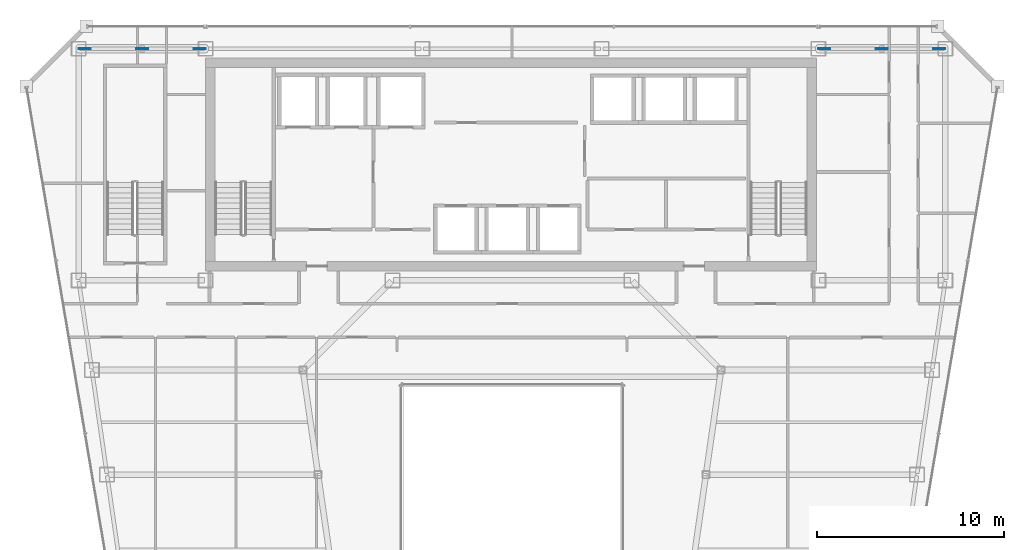
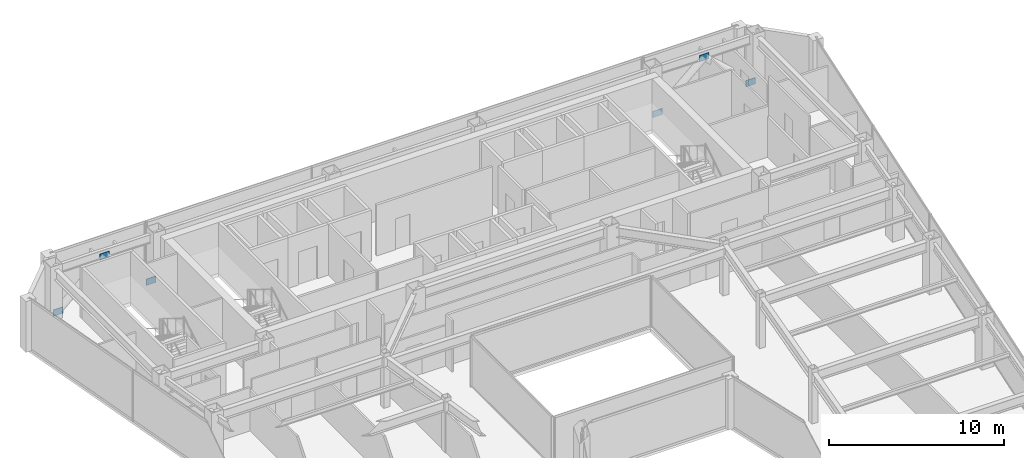
# One storey, part 29 of 35: 6 plates.
"""IFC4 building model written with IfcOpenShell, lengths in metres."""

from ifc_helpers import new_model, si_unit, direction, frame, origin, origin_2d, place, context, subcontext, project, spatial, rectangle, extrude, material, layer, layer_set, type_object, element, save


model = new_model("IFC4")

# Units and contexts
model_context = context("Model", 3, precision=1e-05, world=origin(), true_north=direction((0.0, 1.0)))
body_context = subcontext(model_context, "Body", "Model", "MODEL_VIEW")
ifc_project = project(units=[si_unit("LENGTHUNIT", "METRE"), si_unit("AREAUNIT", "SQUARE_METRE"), si_unit("VOLUMEUNIT", "CUBIC_METRE"), si_unit("PLANEANGLEUNIT", "RADIAN"), si_unit("MASSUNIT", "GRAM", prefix="KILO")], contexts=[model_context])

# Site, building, storey
site_placement = place(None, origin())
site = spatial("IfcSite", under=ifc_project, at=site_placement, CompositionType="ELEMENT")
building_placement = place(site_placement, origin())
building = spatial("IfcBuilding", under=site, at=building_placement, Name="Saevonmaru Cultural Tower", CompositionType="ELEMENT")
storey_placement = place(building_placement, frame((0.0, 0.0, 190.39990234375)))
storey = spatial("IfcBuildingStorey", under=building, at=storey_placement, Name="L43", CompositionType="ELEMENT", Elevation=190.39990234375)

# Plates
ifc_material = material(Name="Steel HSA600 (600 MPa)", Category="steel")
ifc_layer = layer(ifc_material, 0.0400390625, Name="Steel HSA600 (600 MPa)")
ifc_layer_set = layer_set([ifc_layer], Name="Steel HSA600 (600 MPa)")
plate_type = type_object("IfcPlateType", Name="PL-GUSSET-EXT", PredefinedType="USERDEFINED", material=ifc_layer_set)
for number, where, z_axis, x_axis, name in (
    (1, (10.199951171875, 54.800048828125, 2.85009765625), (0.0, 0.0, 1.0), (1.0, 0.0, 0.0), "L43 Perimeter Tube Gusset Plate"),
    (2, (7.1201171875, 54.800048828125, 0.02001953125), (0.0, 0.0, 1.0), (1.0, 0.0, 0.0), "L43 Perimeter Tube Gusset Plate"),
    (3, (13.280029296875, 54.800048828125, 0.02001953125), (0.0, 0.0, 1.0), (1.0, 0.0, 0.0), "L43 Perimeter Tube Gusset Plate"),
    (4, (49.800048828125, 54.800048828125, 2.85009765625), (0.0, 0.0, 1.0), (1.0, 0.0, 0.0), "L43 Perimeter Tube Gusset Plate"),
    (5, (46.719970703125, 54.800048828125, 0.02001953125), (0.0, 0.0, 1.0), (1.0, 0.0, 0.0), "L43 Perimeter Tube Gusset Plate"),
    (6, (52.8798828125, 54.800048828125, 0.02001953125), (0.0, 0.0, 1.0), (1.0, 0.0, 0.0), "L43 Perimeter Tube Gusset Plate"),
):
    element("IfcPlate", number, at=place(storey_placement, frame(where, z_axis=z_axis, x_axis=x_axis)), inside=storey, type_object=plate_type, Name=name, ObjectType="GUSSET_PLATE", PredefinedType="USERDEFINED", context=body_context, shape_type="SweptSolid", body=[
        extrude(rectangle(XDim=0.639892578125, YDim=0.0400390625, at=origin_2d()), origin(), (0.0, 0.0, 1.0), 0.43994140625),
    ])

save(model, "model.ifc")
